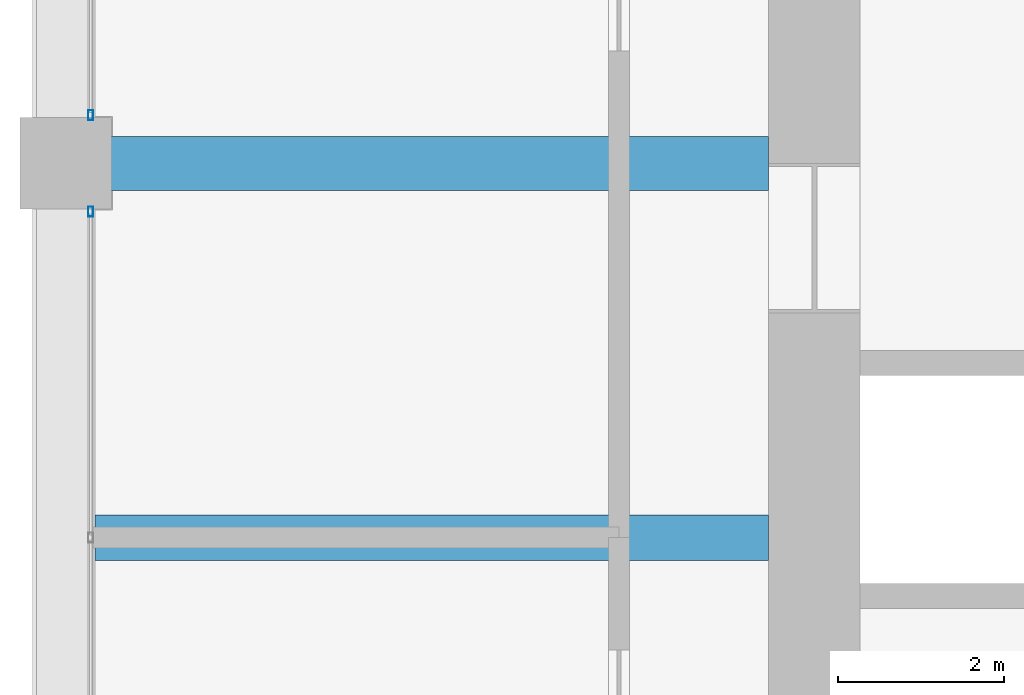
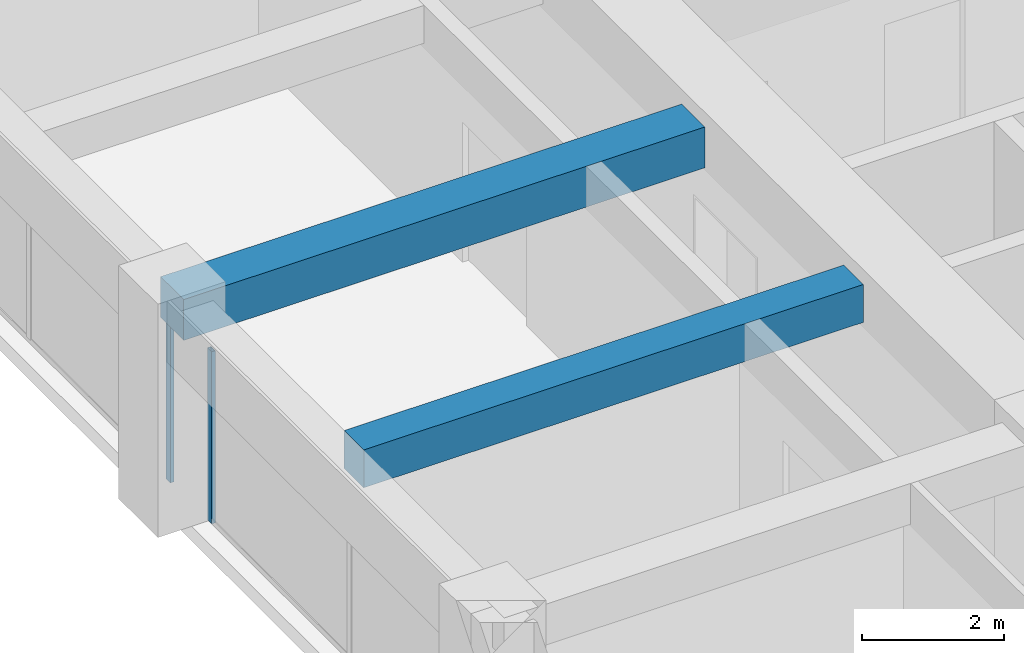
# One storey, part 15 of 44: 2 beams, 2 members, 2 elements without a shape of their own.
"""IFC4 building model written with IfcOpenShell, lengths in metres."""

import ifcopenshell
import ifcopenshell.guid

model = None  # the IFC model being written
_history = None  # IfcOwnerHistory: only IFC2X3 demands one
_inside = {}  # id of a spatial element -> (the spatial element, [elements in it])
_under = {}  # id of a project, library or spatial element -> (it, [spatial elements below it])
_declared = {}  # id of a project -> (the project, [libraries it declares])
_typed = {}  # id of a type object -> (the type object, [elements of that type])
_made_of = {}  # id of a material, layer set ... -> (it, [elements and type objects made of it])


def new_model(schema):
    """Start an empty IFC model of exactly this schema.

    Asked for "IFC4X3", IfcOpenShell would pick the latest addendum, in which some entities
    have other attributes; the version numbers below select the first issue.
    IFC2X3 requires an IfcOwnerHistory on every rooted entity: one is made here for all.
    """
    global model, _history
    if schema == "IFC4X3":
        model = ifcopenshell.file(schema_version=(4, 3, 0, 0))
    else:
        model = ifcopenshell.file(schema=schema)
    _inside.clear()
    _under.clear()
    _declared.clear()
    _typed.clear()
    _made_of.clear()
    _history = None
    if model.schema == "IFC2X3":
        org = make("IfcOrganization", Name="unknown")
        user = make(
            "IfcPersonAndOrganization",
            ThePerson=make("IfcPerson", FamilyName="unknown"),
            TheOrganization=org,
        )
        app = make(
            "IfcApplication",
            ApplicationDeveloper=org,
            Version="unknown",
            ApplicationFullName="unknown",
            ApplicationIdentifier="unknown",
        )
        _history = make(
            "IfcOwnerHistory",
            OwningUser=user,
            OwningApplication=app,
            ChangeAction="ADDED",
            CreationDate=0,
        )
    return model


def make(cls, **values):
    """One entity of the class cls with the attributes given. An attribute that is None is left unset."""
    return model.create_entity(
        cls, **{name: value for name, value in values.items() if value is not None}
    )


def rooted(cls, **values):
    """An entity with a GlobalId (a new one), such as an element, a storey or a relation."""
    return make(cls, GlobalId=ifcopenshell.guid.new(), OwnerHistory=_history, **values)


def si_unit(unit_type, name, prefix=None):
    """IfcSIUnit, for example si_unit("LENGTHUNIT", "METRE", prefix="MILLI")."""
    return make("IfcSIUnit", UnitType=unit_type, Prefix=prefix, Name=name)


def assignment(units):
    """IfcUnitAssignment: the units of a project."""
    return None if units is None else make("IfcUnitAssignment", Units=units)


def point(xyz):
    """IfcCartesianPoint."""
    return None if xyz is None else make("IfcCartesianPoint", Coordinates=xyz)


def direction(xyz):
    """IfcDirection."""
    return None if xyz is None else make("IfcDirection", DirectionRatios=xyz)


def frame(location, z_axis=None, x_axis=None):
    """IfcAxis2Placement3D, a coordinate frame: its origin and axes. An axis left out is left unset."""
    return make(
        "IfcAxis2Placement3D",
        Location=point(location),
        Axis=direction(z_axis),
        RefDirection=direction(x_axis),
    )


def frame_2d(location, x_axis=None):
    """IfcAxis2Placement2D, a coordinate frame in the plane: its origin and x axis."""
    return make(
        "IfcAxis2Placement2D", Location=point(location), RefDirection=direction(x_axis)
    )


def origin():
    """The frame at (0, 0, 0) with its axes left unset."""
    return frame((0.0, 0.0, 0.0))


def origin_2d():
    """The frame at (0, 0) in the plane with its x axis left unset."""
    return frame_2d((0.0, 0.0))


def place(relative_to, where):
    """IfcLocalPlacement: puts the frame where relative to a parent placement (None: the world)."""
    return make(
        "IfcLocalPlacement", PlacementRelTo=relative_to, RelativePlacement=where
    )


def context(
    kind, dimensions, precision=None, world=None, true_north=None, identifier=None
):
    """IfcGeometricRepresentationContext, for example the 3D "Model" context."""
    return make(
        "IfcGeometricRepresentationContext",
        ContextIdentifier=identifier,
        ContextType=kind,
        CoordinateSpaceDimension=dimensions,
        Precision=precision,
        WorldCoordinateSystem=world,
        TrueNorth=true_north,
    )


def subcontext(parent, identifier, kind, view, scale=None):
    """IfcGeometricRepresentationSubContext, for example "Body" below "Model"."""
    return make(
        "IfcGeometricRepresentationSubContext",
        ContextIdentifier=identifier,
        ContextType=kind,
        ParentContext=parent,
        TargetScale=scale,
        TargetView=view,
    )


def project(units=None, contexts=None):
    """IfcProject with its units and contexts."""
    return rooted(
        "IfcProject",
        Name="project",
        RepresentationContexts=contexts,
        UnitsInContext=assignment(units),
    )


def spatial(cls, under=None, at=None, **own):
    """A site, building, storey or space (cls), placed at a placement, below another one or the project."""
    s = rooted(cls, ObjectPlacement=at, **own)
    if under is not None:
        _under.setdefault(under.id(), (under, []))[1].append(s)
    return s


def profile(cls, at=None, kind="AREA", **sizes):
    """A parametric profile (cls). Its sizes go by their IFC names, for example OverallWidth=200.0."""
    return make(cls, ProfileType=kind, Position=at, **sizes)


def rectangle(**sizes):
    """IfcRectangleProfileDef."""
    return profile("IfcRectangleProfileDef", **sizes)


def hollow_rectangle(**sizes):
    """IfcRectangleHollowProfileDef."""
    return profile("IfcRectangleHollowProfileDef", **sizes)


def extrude(swept, where, along, depth):
    """IfcExtrudedAreaSolid: the profile swept, set in the frame where, extruded along a direction by depth."""
    return make(
        "IfcExtrudedAreaSolid",
        SweptArea=swept,
        Position=where,
        ExtrudedDirection=direction(along),
        Depth=depth,
    )


def shape(context_of_items, identifier, shape_type, items):
    """IfcShapeRepresentation: the items that make up one representation, for example the "Body"."""
    return make(
        "IfcShapeRepresentation",
        ContextOfItems=context_of_items,
        RepresentationIdentifier=identifier,
        RepresentationType=shape_type,
        Items=items,
    )


def material(Name=None, Category=None):
    """IfcMaterial."""
    return make("IfcMaterial", Name=Name, Category=Category)


def material_profile(
    of_material, cross_section, Name=None, Category=None, Priority=None
):
    """IfcMaterialProfile: a cross section and its material."""
    return make(
        "IfcMaterialProfile",
        Name=Name,
        Material=of_material,
        Profile=cross_section,
        Priority=Priority,
        Category=Category,
    )


def profile_set(profiles, Name=None, composite=None):
    """IfcMaterialProfileSet."""
    return make(
        "IfcMaterialProfileSet",
        Name=Name,
        MaterialProfiles=profiles,
        CompositeProfile=composite,
    )


def made_of(thing, what):
    """Note that an element or type object is made of a material, layer set ...; save() writes the relation."""
    if what is not None:
        _made_of.setdefault(what.id(), (what, []))[1].append(thing)
    return thing


def type_object(cls, material=None, **own):
    """A type object (cls), such as IfcWallType, which elements share."""
    return made_of(rooted(cls, **own), material)


def element(
    cls,
    number,
    at=None,
    inside=None,
    cuts=None,
    type_object=None,
    material=None,
    context=None,
    identifier="Body",
    shape_type=None,
    held_by="IfcProductDefinitionShape",
    body=None,
    shapes=None,
    **own,
):
    """One element of the class cls, such as IfcWall. Its Tag is "e" and its number.

    at: its placement. inside: the storey or other place that contains it. cuts: it is an
    opening in that element (IfcRelVoidsElement). A single representation is given by context,
    identifier, shape_type and body (its items); several are given by shapes. held_by: the class
    of the entity that holds the representations. save() writes the other relations.
    """
    e = rooted(cls, Tag="e%d" % number, ObjectPlacement=at, **own)
    if body is not None:
        shapes = [shape(context, identifier, shape_type, body)]
    if shapes is not None:
        e.Representation = make(held_by, Representations=shapes)
    if inside is not None:
        _inside.setdefault(inside.id(), (inside, []))[1].append(e)
    if cuts is not None:
        rooted(
            "IfcRelVoidsElement", RelatingBuildingElement=cuts, RelatedOpeningElement=e
        )
    if type_object is not None:
        _typed.setdefault(type_object.id(), (type_object, []))[1].append(e)
    return made_of(e, material)


def aggregate(whole, parts):
    """IfcRelAggregates: a whole, such as a stair, and the parts it consists of."""
    return rooted("IfcRelAggregates", RelatingObject=whole, RelatedObjects=parts)


def save(model, path):
    """Write the relations noted so far, then the file.

    IfcRelAggregates (storeys below a building ...), IfcRelContainedInSpatialStructure (elements
    in a storey), IfcRelDefinesByType, IfcRelAssociatesMaterial and IfcRelDeclares: one each for
    every whole, place, type object, material and project.
    """
    for whole, parts in _under.values():
        aggregate(whole, parts)
    for where, things in _inside.values():
        rooted(
            "IfcRelContainedInSpatialStructure",
            RelatedElements=things,
            RelatingStructure=where,
        )
    for kind, things in _typed.values():
        rooted("IfcRelDefinesByType", RelatedObjects=things, RelatingType=kind)
    for what, things in _made_of.values():
        rooted("IfcRelAssociatesMaterial", RelatedObjects=things, RelatingMaterial=what)
    for by, libraries in _declared.values():
        rooted("IfcRelDeclares", RelatingContext=by, RelatedDefinitions=libraries)
    model.write(path)


model = new_model("IFC4")

# Units and contexts
model_context = context("Model", 3, precision=1e-05, world=origin(), true_north=direction((0.0, 1.0)))
body_context = subcontext(model_context, "Body", "Model", "MODEL_VIEW")
ifc_project = project(units=[si_unit("LENGTHUNIT", "METRE"), si_unit("AREAUNIT", "SQUARE_METRE"), si_unit("VOLUMEUNIT", "CUBIC_METRE"), si_unit("PLANEANGLEUNIT", "RADIAN"), si_unit("MASSUNIT", "GRAM", prefix="KILO")], contexts=[model_context])

# Site, building, storey
site_placement = place(None, origin())
site = spatial("IfcSite", under=ifc_project, at=site_placement, CompositionType="ELEMENT")
building_placement = place(site_placement, origin())
building = spatial("IfcBuilding", under=site, at=building_placement, Name="Zorevar Civic Tower", CompositionType="ELEMENT")
storey_placement = place(building_placement, frame((0.0, 0.0, 271.39990234375)))
storey = spatial("IfcBuildingStorey", under=building, at=storey_placement, Name="L66", CompositionType="ELEMENT", Elevation=271.39990234375)

# Beams
ifc_material_1 = material(Name="Concrete C50/60", Category="concrete")
ifc_material_profile_1 = material_profile(ifc_material_1, rectangle(XDim=0.550048828125, YDim=0.64990234375, at=origin_2d()), Name="RC 550x650")
ifc_profile_set_1 = profile_set([ifc_material_profile_1], Name="Concrete C50/60")
beam_type_1 = type_object("IfcBeamType", Name="Beam RC 550x650", PredefinedType="BEAM", material=ifc_profile_set_1)
beam_1_placement = place(storey_placement, frame((9.35009765625, 22.5, 3.425048828125), z_axis=(1.0, 0.0, 0.0), x_axis=(0.0, 1.0, 0.0)))
element("IfcBeam", 1, at=beam_1_placement, inside=storey, type_object=beam_type_1, Name="Secondary beam L67", PredefinedType="BEAM", context=body_context, shape_type="SweptSolid", body=[
    extrude(rectangle(XDim=0.550048828125, YDim=0.64990234375, at=origin_2d()), origin(), (0.0, 0.0, 1.0), 8.099853515625),
])
ifc_material_2 = material(Name="Concrete C50/60", Category="concrete")
ifc_material_profile_2 = material_profile(ifc_material_2, rectangle(XDim=0.64990234375, YDim=0.699951171875, at=origin_2d()), Name="RC 650x700")
ifc_profile_set_2 = profile_set([ifc_material_profile_2], Name="Concrete C50/60")
beam_type_2 = type_object("IfcBeamType", Name="Beam RC 650x700", PredefinedType="BEAM", material=ifc_profile_set_2)
beam_2_placement = place(storey_placement, frame((9.0, 27.0, 3.400146484375), z_axis=(1.0, 0.0, 0.0), x_axis=(0.0, 1.0, 0.0)))
element("IfcBeam", 2, at=beam_2_placement, inside=storey, type_object=beam_type_2, Name="Girder L67", PredefinedType="BEAM", context=body_context, shape_type="SweptSolid", body=[
    extrude(rectangle(XDim=0.64990234375, YDim=0.699951171875, at=origin_2d()), origin(), (0.0, 0.0, 1.0), 8.449951171875),
])

# Curtain wall, member
ifc_material_3 = material(Name="Dark grey solar-control glass in black aluminium frame", Category="aluminium")
curtain_wall_type = type_object("IfcCurtainWallType", Name="Curtain wall CW5 top zone", PredefinedType="NOTDEFINED", material=ifc_material_3)
curtain_wall_1_placement = place(storey_placement, origin())
curtain_wall_1 = element("IfcCurtainWall", 3, at=curtain_wall_1_placement, inside=storey, type_object=curtain_wall_type, Name="CW5 L66", PredefinedType="NOTDEFINED")
ifc_material_4 = material(Name="Aluminium, black anodised", Category="aluminium")
ifc_material_profile_3 = material_profile(ifc_material_4, hollow_rectangle(XDim=0.06005859375, YDim=0.1201171875, WallThickness=0.0029296875, at=origin_2d()), Name="AL 120x60x3")
ifc_profile_set_3 = profile_set([ifc_material_profile_3], Name="Aluminium, black anodised")
member_type = type_object("IfcMemberType", Name="CW5 mullion AL 120x60x3", PredefinedType="MULLION", material=ifc_profile_set_3)
member_1_placement = place(storey_placement, frame((9.300048828125, 26.419921875, 0.0), z_axis=(0.0, 0.0, 1.0), x_axis=(-1.0, 0.0, 0.0)))
member_1 = element("IfcMember", 4, at=member_1_placement, type_object=member_type, Name="CW5 mullion 3", PredefinedType="MULLION", context=body_context, shape_type="SweptSolid", body=[
    extrude(hollow_rectangle(XDim=0.06005859375, YDim=0.1201171875, WallThickness=0.0029296875, at=origin_2d()), origin(), (0.0, 0.0, 1.0), 2.9501953125),
])
aggregate(curtain_wall_1, [member_1])

curtain_wall_2_placement = place(storey_placement, origin())
curtain_wall_2 = element("IfcCurtainWall", 5, at=curtain_wall_2_placement, inside=storey, type_object=curtain_wall_type, Name="CW5 L66", PredefinedType="NOTDEFINED")
member_2_placement = place(storey_placement, frame((9.300048828125, 27.580078125, 0.0), z_axis=(0.0, 0.0, 1.0), x_axis=(-1.0, 0.0, 0.0)))
member_2 = element("IfcMember", 6, at=member_2_placement, type_object=member_type, Name="CW5 mullion 1", PredefinedType="MULLION", context=body_context, shape_type="SweptSolid", body=[
    extrude(hollow_rectangle(XDim=0.06005859375, YDim=0.1201171875, WallThickness=0.0029296875, at=origin_2d()), origin(), (0.0, 0.0, 1.0), 2.9501953125),
])
aggregate(curtain_wall_2, [member_2])

save(model, "model.ifc")
